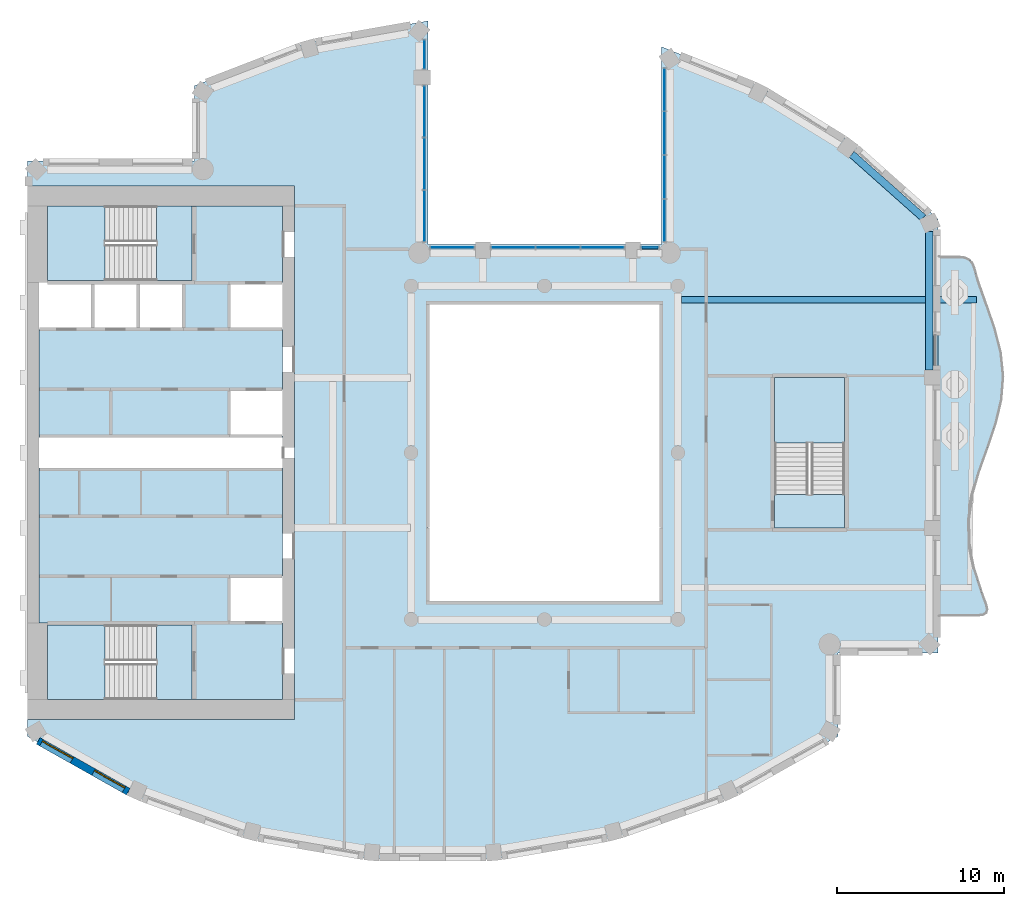
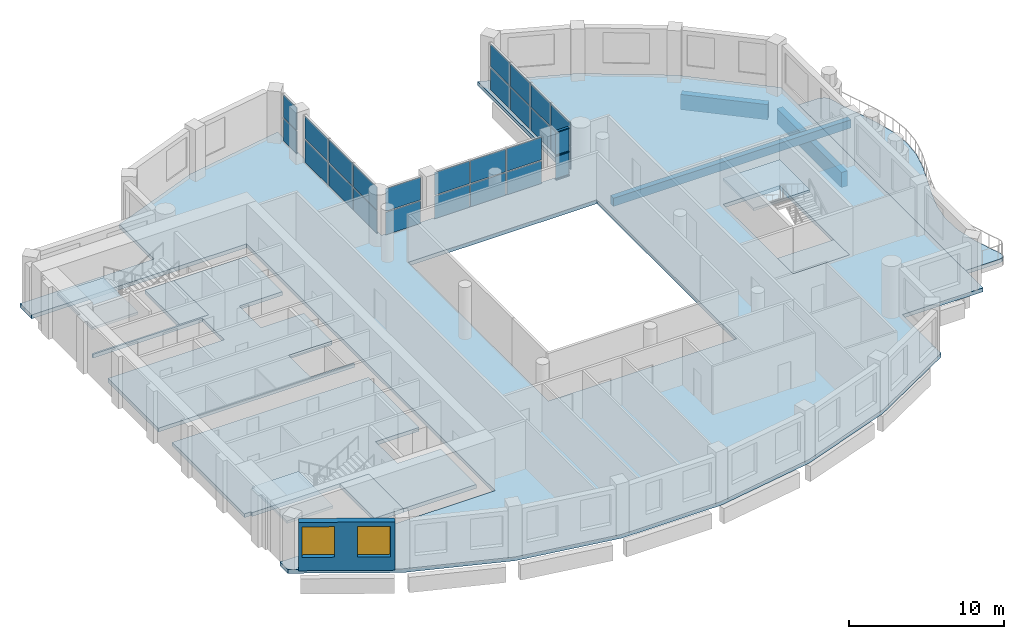
# One storey, part 3 of 14: 26 plates, 10 slabs, 3 beams, 3 members, 2 windows, 1 wall, 2 openings, 9 elements without a shape of their own.
"""IFC4 building model written with IfcOpenShell, lengths in metres."""

import ifcopenshell
import ifcopenshell.guid

model = None  # the IFC model being written
_history = None  # IfcOwnerHistory: only IFC2X3 demands one
_inside = {}  # id of a spatial element -> (the spatial element, [elements in it])
_under = {}  # id of a project, library or spatial element -> (it, [spatial elements below it])
_declared = {}  # id of a project -> (the project, [libraries it declares])
_typed = {}  # id of a type object -> (the type object, [elements of that type])
_made_of = {}  # id of a material, layer set ... -> (it, [elements and type objects made of it])


def new_model(schema):
    """Start an empty IFC model of exactly this schema.

    Asked for "IFC4X3", IfcOpenShell would pick the latest addendum, in which some entities
    have other attributes; the version numbers below select the first issue.
    IFC2X3 requires an IfcOwnerHistory on every rooted entity: one is made here for all.
    """
    global model, _history
    if schema == "IFC4X3":
        model = ifcopenshell.file(schema_version=(4, 3, 0, 0))
    else:
        model = ifcopenshell.file(schema=schema)
    _inside.clear()
    _under.clear()
    _declared.clear()
    _typed.clear()
    _made_of.clear()
    _history = None
    if model.schema == "IFC2X3":
        org = make("IfcOrganization", Name="unknown")
        user = make(
            "IfcPersonAndOrganization",
            ThePerson=make("IfcPerson", FamilyName="unknown"),
            TheOrganization=org,
        )
        app = make(
            "IfcApplication",
            ApplicationDeveloper=org,
            Version="unknown",
            ApplicationFullName="unknown",
            ApplicationIdentifier="unknown",
        )
        _history = make(
            "IfcOwnerHistory",
            OwningUser=user,
            OwningApplication=app,
            ChangeAction="ADDED",
            CreationDate=0,
        )
    return model


def make(cls, **values):
    """One entity of the class cls with the attributes given. An attribute that is None is left unset."""
    return model.create_entity(
        cls, **{name: value for name, value in values.items() if value is not None}
    )


def rooted(cls, **values):
    """An entity with a GlobalId (a new one), such as an element, a storey or a relation."""
    return make(cls, GlobalId=ifcopenshell.guid.new(), OwnerHistory=_history, **values)


def si_unit(unit_type, name, prefix=None):
    """IfcSIUnit, for example si_unit("LENGTHUNIT", "METRE", prefix="MILLI")."""
    return make("IfcSIUnit", UnitType=unit_type, Prefix=prefix, Name=name)


def assignment(units):
    """IfcUnitAssignment: the units of a project."""
    return None if units is None else make("IfcUnitAssignment", Units=units)


def point(xyz):
    """IfcCartesianPoint."""
    return None if xyz is None else make("IfcCartesianPoint", Coordinates=xyz)


def direction(xyz):
    """IfcDirection."""
    return None if xyz is None else make("IfcDirection", DirectionRatios=xyz)


def frame(location, z_axis=None, x_axis=None):
    """IfcAxis2Placement3D, a coordinate frame: its origin and axes. An axis left out is left unset."""
    return make(
        "IfcAxis2Placement3D",
        Location=point(location),
        Axis=direction(z_axis),
        RefDirection=direction(x_axis),
    )


def frame_2d(location, x_axis=None):
    """IfcAxis2Placement2D, a coordinate frame in the plane: its origin and x axis."""
    return make(
        "IfcAxis2Placement2D", Location=point(location), RefDirection=direction(x_axis)
    )


def origin():
    """The frame at (0, 0, 0) with its axes left unset."""
    return frame((0.0, 0.0, 0.0))


def origin_2d():
    """The frame at (0, 0) in the plane with its x axis left unset."""
    return frame_2d((0.0, 0.0))


def place(relative_to, where):
    """IfcLocalPlacement: puts the frame where relative to a parent placement (None: the world)."""
    return make(
        "IfcLocalPlacement", PlacementRelTo=relative_to, RelativePlacement=where
    )


def context(
    kind, dimensions, precision=None, world=None, true_north=None, identifier=None
):
    """IfcGeometricRepresentationContext, for example the 3D "Model" context."""
    return make(
        "IfcGeometricRepresentationContext",
        ContextIdentifier=identifier,
        ContextType=kind,
        CoordinateSpaceDimension=dimensions,
        Precision=precision,
        WorldCoordinateSystem=world,
        TrueNorth=true_north,
    )


def subcontext(parent, identifier, kind, view, scale=None):
    """IfcGeometricRepresentationSubContext, for example "Body" below "Model"."""
    return make(
        "IfcGeometricRepresentationSubContext",
        ContextIdentifier=identifier,
        ContextType=kind,
        ParentContext=parent,
        TargetScale=scale,
        TargetView=view,
    )


def project(units=None, contexts=None):
    """IfcProject with its units and contexts."""
    return rooted(
        "IfcProject",
        Name="project",
        RepresentationContexts=contexts,
        UnitsInContext=assignment(units),
    )


def spatial(cls, under=None, at=None, **own):
    """A site, building, storey or space (cls), placed at a placement, below another one or the project."""
    s = rooted(cls, ObjectPlacement=at, **own)
    if under is not None:
        _under.setdefault(under.id(), (under, []))[1].append(s)
    return s


def polyline(points):
    """IfcPolyline through the points."""
    return make("IfcPolyline", Points=[point(p) for p in points])


def profile(cls, at=None, kind="AREA", **sizes):
    """A parametric profile (cls). Its sizes go by their IFC names, for example OverallWidth=200.0."""
    return make(cls, ProfileType=kind, Position=at, **sizes)


def rectangle(**sizes):
    """IfcRectangleProfileDef."""
    return profile("IfcRectangleProfileDef", **sizes)


def outline(outer, holes=None, kind="AREA"):
    """IfcArbitraryClosedProfileDef: a profile drawn as a closed curve; with holes, ...WithVoids."""
    if holes is None:
        return make("IfcArbitraryClosedProfileDef", ProfileType=kind, OuterCurve=outer)
    return make(
        "IfcArbitraryProfileDefWithVoids",
        ProfileType=kind,
        OuterCurve=outer,
        InnerCurves=holes,
    )


def extrude(swept, where, along, depth):
    """IfcExtrudedAreaSolid: the profile swept, set in the frame where, extruded along a direction by depth."""
    return make(
        "IfcExtrudedAreaSolid",
        SweptArea=swept,
        Position=where,
        ExtrudedDirection=direction(along),
        Depth=depth,
    )


def shape(context_of_items, identifier, shape_type, items):
    """IfcShapeRepresentation: the items that make up one representation, for example the "Body"."""
    return make(
        "IfcShapeRepresentation",
        ContextOfItems=context_of_items,
        RepresentationIdentifier=identifier,
        RepresentationType=shape_type,
        Items=items,
    )


def material(Name=None, Category=None):
    """IfcMaterial."""
    return make("IfcMaterial", Name=Name, Category=Category)


def layer(
    of_material, thickness, ventilated=None, Name=None, Category=None, Priority=None
):
    """IfcMaterialLayer: one layer of a wall or slab, of a material (None: an air gap)."""
    return make(
        "IfcMaterialLayer",
        Material=of_material,
        LayerThickness=thickness,
        IsVentilated=ventilated,
        Name=Name,
        Category=Category,
        Priority=Priority,
    )


def layer_set(layers, Name=None):
    """IfcMaterialLayerSet."""
    return make("IfcMaterialLayerSet", MaterialLayers=layers, LayerSetName=Name)


def material_profile(
    of_material, cross_section, Name=None, Category=None, Priority=None
):
    """IfcMaterialProfile: a cross section and its material."""
    return make(
        "IfcMaterialProfile",
        Name=Name,
        Material=of_material,
        Profile=cross_section,
        Priority=Priority,
        Category=Category,
    )


def profile_set(profiles, Name=None, composite=None):
    """IfcMaterialProfileSet."""
    return make(
        "IfcMaterialProfileSet",
        Name=Name,
        MaterialProfiles=profiles,
        CompositeProfile=composite,
    )


def made_of(thing, what):
    """Note that an element or type object is made of a material, layer set ...; save() writes the relation."""
    if what is not None:
        _made_of.setdefault(what.id(), (what, []))[1].append(thing)
    return thing


def type_object(cls, material=None, **own):
    """A type object (cls), such as IfcWallType, which elements share."""
    return made_of(rooted(cls, **own), material)


def element(
    cls,
    number,
    at=None,
    inside=None,
    cuts=None,
    type_object=None,
    material=None,
    context=None,
    identifier="Body",
    shape_type=None,
    held_by="IfcProductDefinitionShape",
    body=None,
    shapes=None,
    **own,
):
    """One element of the class cls, such as IfcWall. Its Tag is "e" and its number.

    at: its placement. inside: the storey or other place that contains it. cuts: it is an
    opening in that element (IfcRelVoidsElement). A single representation is given by context,
    identifier, shape_type and body (its items); several are given by shapes. held_by: the class
    of the entity that holds the representations. save() writes the other relations.
    """
    e = rooted(cls, Tag="e%d" % number, ObjectPlacement=at, **own)
    if body is not None:
        shapes = [shape(context, identifier, shape_type, body)]
    if shapes is not None:
        e.Representation = make(held_by, Representations=shapes)
    if inside is not None:
        _inside.setdefault(inside.id(), (inside, []))[1].append(e)
    if cuts is not None:
        rooted(
            "IfcRelVoidsElement", RelatingBuildingElement=cuts, RelatedOpeningElement=e
        )
    if type_object is not None:
        _typed.setdefault(type_object.id(), (type_object, []))[1].append(e)
    return made_of(e, material)


def fill(opening, filler):
    """IfcRelFillsElement: the door or window that sits in an opening."""
    return rooted(
        "IfcRelFillsElement",
        RelatingOpeningElement=opening,
        RelatedBuildingElement=filler,
    )


def aggregate(whole, parts):
    """IfcRelAggregates: a whole, such as a stair, and the parts it consists of."""
    return rooted("IfcRelAggregates", RelatingObject=whole, RelatedObjects=parts)


def save(model, path):
    """Write the relations noted so far, then the file.

    IfcRelAggregates (storeys below a building ...), IfcRelContainedInSpatialStructure (elements
    in a storey), IfcRelDefinesByType, IfcRelAssociatesMaterial and IfcRelDeclares: one each for
    every whole, place, type object, material and project.
    """
    for whole, parts in _under.values():
        aggregate(whole, parts)
    for where, things in _inside.values():
        rooted(
            "IfcRelContainedInSpatialStructure",
            RelatedElements=things,
            RelatingStructure=where,
        )
    for kind, things in _typed.values():
        rooted("IfcRelDefinesByType", RelatedObjects=things, RelatingType=kind)
    for what, things in _made_of.values():
        rooted("IfcRelAssociatesMaterial", RelatedObjects=things, RelatingMaterial=what)
    for by, libraries in _declared.values():
        rooted("IfcRelDeclares", RelatingContext=by, RelatedDefinitions=libraries)
    model.write(path)


model = new_model("IFC4")

# Units and contexts
model_context = context("Model", 3, precision=1e-05, world=origin(), true_north=direction((0.0, 1.0)))
body_context = subcontext(model_context, "Body", "Model", "MODEL_VIEW")
ifc_project = project(units=[si_unit("LENGTHUNIT", "METRE"), si_unit("AREAUNIT", "SQUARE_METRE"), si_unit("VOLUMEUNIT", "CUBIC_METRE"), si_unit("PLANEANGLEUNIT", "RADIAN"), si_unit("MASSUNIT", "GRAM", prefix="KILO")], contexts=[model_context])

# Site, building, storey
site_placement = place(None, origin())
site = spatial("IfcSite", under=ifc_project, at=site_placement, CompositionType="ELEMENT")
building_placement = place(site_placement, origin())
building = spatial("IfcBuilding", under=site, at=building_placement, Name="Cypress Arch Tower", CompositionType="ELEMENT")
storey_placement = place(building_placement, frame((0.0, 0.0, 276.199951171875)))
storey = spatial("IfcBuildingStorey", under=building, at=storey_placement, Name="L62", CompositionType="ELEMENT", Elevation=276.199951171875)

# Beams
ifc_material_1 = material(Name="Concrete C50/60", Category="concrete")
ifc_material_profile_1 = material_profile(ifc_material_1, rectangle(XDim=0.39990234375, YDim=0.64990234375, at=origin_2d()), Name="RC 400x650")
ifc_profile_set_1 = profile_set([ifc_material_profile_1], Name="Concrete C50/60")
beam_type_1 = type_object("IfcBeamType", Name="Cantilever beam RC 400x650 Concrete C50/60", PredefinedType="BEAM", material=ifc_profile_set_1)
beam_1_placement = place(storey_placement, frame((9.22509765625, 9.1826171875, -0.625), z_axis=(1.0, 0.0, 0.0), x_axis=(0.0, 1.0, 0.0)))
element("IfcBeam", 1, at=beam_1_placement, inside=storey, type_object=beam_type_1, Name="Cantilever beam L62 C17 2", PredefinedType="BEAM", context=body_context, shape_type="SweptSolid", body=[
    extrude(rectangle(XDim=0.39990234375, YDim=0.64990234375, at=origin_2d()), origin(), (0.0, 0.0, 1.0), 17.661376953125),
])
ifc_material_2 = material(Name="Concrete C50/60", Category="concrete")
ifc_material_profile_2 = material_profile(ifc_material_2, rectangle(XDim=0.449951171875, YDim=1.199951171875, at=origin_2d()), Name="RC 450x1200")
ifc_profile_set_2 = profile_set([ifc_material_profile_2], Name="Concrete C50/60")
beam_type_2 = type_object("IfcBeamType", Name="Spandrel beam RC 450x1200 Concrete C50/60", PredefinedType="SPANDREL", material=ifc_profile_set_2)
beam_2_placement = place(storey_placement, frame((24.074951171875, 4.949951171875, -1.550048828125), z_axis=(0.0, 1.0, 0.0), x_axis=(-1.0, 0.0, 0.0)))
element("IfcBeam", 2, at=beam_2_placement, inside=storey, type_object=beam_type_2, Name="Spandrel beam L62 BC17-2", PredefinedType="SPANDREL", context=body_context, shape_type="SweptSolid", body=[
    extrude(rectangle(XDim=0.449951171875, YDim=1.199951171875, at=origin_2d()), origin(), (0.0, 0.0, 1.0), 8.32080078125),
])
beam_3_placement = place(storey_placement, frame((23.706298828125, 14.091796875, -1.550048828125), z_axis=(-0.747555073917, 0.664199827959, 0.0), x_axis=(-0.664199827959, -0.747555073917, 0.0)))
element("IfcBeam", 3, at=beam_3_placement, inside=storey, type_object=beam_type_2, Name="Spandrel beam L62 BC18-0", PredefinedType="SPANDREL", context=body_context, shape_type="SweptSolid", body=[
    extrude(rectangle(XDim=0.449951171875, YDim=1.199951171875, at=origin_2d()), origin(), (0.0, 0.0, 1.0), 5.72900390625),
])

# Curtain wall, members
ifc_material_3 = material(Name="Anodised aluminium, bronze finish, clear laminated double glazing", Category="aluminium")
curtain_wall_type = type_object("IfcCurtainWallType", Name="Curtain wall CW7 slot glazing", PredefinedType="NOTDEFINED", material=ifc_material_3)
curtain_wall_1_placement = place(storey_placement, origin())
curtain_wall_1 = element("IfcCurtainWall", 4, at=curtain_wall_1_placement, inside=storey, type_object=curtain_wall_type, Name="Curtain wall L62 slot C01.0", PredefinedType="NOTDEFINED")
ifc_material_4 = material(Name="Anodised aluminium, bronze finish", Category="aluminium")
ifc_material_profile_3 = material_profile(ifc_material_4, rectangle(XDim=0.179931640625, YDim=0.0849609375, at=origin_2d()), Name="Transom 85x180")
ifc_profile_set_3 = profile_set([ifc_material_profile_3], Name="Anodised aluminium, bronze finish")
member_type = type_object("IfcMemberType", Name="Transom CW7 85x180", PredefinedType="USERDEFINED", material=ifc_profile_set_3)
member_1_placement = place(storey_placement, frame((7.8134765625, 12.300048828125, 0.04248046875), z_axis=(-1.0, 0.0, 0.0), x_axis=(0.0, -1.0, 0.0)))
member_1 = element("IfcMember", 5, at=member_1_placement, type_object=member_type, Name="CW7 transom 1.1", ObjectType="TRANSOM", PredefinedType="USERDEFINED", context=body_context, shape_type="SweptSolid", body=[
    extrude(rectangle(XDim=0.179931640625, YDim=0.0849609375, at=origin_2d()), origin(), (0.0, 0.0, 1.0), 0.978515625),
])
member_2_placement = place(storey_placement, frame((7.8134765625, 12.300048828125, 1.900146484375), z_axis=(-1.0, 0.0, 0.0), x_axis=(0.0, -1.0, 0.0)))
member_2 = element("IfcMember", 6, at=member_2_placement, type_object=member_type, Name="CW7 transom 1.2", ObjectType="TRANSOM", PredefinedType="USERDEFINED", context=body_context, shape_type="SweptSolid", body=[
    extrude(rectangle(XDim=0.179931640625, YDim=0.0849609375, at=origin_2d()), origin(), (0.0, 0.0, 1.0), 0.978515625),
])
member_3_placement = place(storey_placement, frame((7.8134765625, 12.300048828125, 3.757568359375), z_axis=(-1.0, 0.0, 0.0), x_axis=(0.0, -1.0, 0.0)))
member_3 = element("IfcMember", 7, at=member_3_placement, type_object=member_type, Name="CW7 transom 1.3", ObjectType="TRANSOM", PredefinedType="USERDEFINED", context=body_context, shape_type="SweptSolid", body=[
    extrude(rectangle(XDim=0.179931640625, YDim=0.0849609375, at=origin_2d()), origin(), (0.0, 0.0, 1.0), 0.978515625),
])

# Slabs
ifc_material_5 = material(Name="Concrete C40/50", Category="concrete")
ifc_layer_1 = layer(ifc_material_5, 0.300048828125)
ifc_layer_set_1 = layer_set([ifc_layer_1], Name="Balcony slab BS300")
slab_type_1 = type_object("IfcSlabType", Name="Balcony slab BS300", PredefinedType="USERDEFINED", material=ifc_layer_set_1)
slab_1_placement = place(storey_placement, frame((0.0, 0.0, -0.300048828125)))
element("IfcSlab", 8, at=slab_1_placement, inside=storey, type_object=slab_type_1, Name="Balcony slab L62-C17", ObjectType="BALCONY SLAB", PredefinedType="USERDEFINED", context=body_context, shape_type="SweptSolid", body=[
    extrude(outline(polyline([(24.60009765625, -9.75), (27.03564453125, -9.75), (27.3212890625, -9.709716796875), (27.49169921875, -9.5888671875), (27.54736328125, -9.38720703125), (27.48779296875, -9.10498046875), (27.201904296875, -8.316650390625), (26.742919921875, -6.88330078125), (26.457275390625, -5.449951171875), (26.414794921875, -4.0166015625), (26.62646484375, -2.583251953125), (27.039794921875, -1.14990234375), (27.5537109375, 0.283447265625), (28.042236328125, 1.716552734375), (28.385498046875, 3.14990234375), (28.49951171875, 4.583251953125), (28.356201171875, 6.0166015625), (27.99072265625, 7.449951171875), (27.49267578125, 8.88330078125), (26.984130859375, 10.316650390625), (26.767333984375, 11.10498046875), (26.64794921875, 11.38720703125), (26.467041015625, 11.5888671875), (26.224609375, 11.709716796875), (25.9208984375, 11.75), (24.60009765625, 11.75), (24.60009765625, -9.75)])), origin(), (0.0, 0.0, 1.0), 0.300048828125),
])
ifc_material_6 = material(Name="Concrete C40/50", Category="concrete")
ifc_layer_2 = layer(ifc_material_6, 0.300048828125)
ifc_layer_set_2 = layer_set([ifc_layer_2], Name="Core floor CF300")
slab_type_2 = type_object("IfcSlabType", Name="Core floor CF300", PredefinedType="FLOOR", material=ifc_layer_set_2)
slab_2_placement = place(storey_placement, frame((0.0, 0.0, -0.300048828125)))
element("IfcSlab", 9, at=slab_2_placement, inside=storey, type_object=slab_type_2, Name="Core floor", PredefinedType="FLOOR", context=body_context, shape_type="SweptSolid", body=[
    extrude(outline(polyline([(-28.89990234375, -10.199951171875), (-29.300048828125, -10.199951171875), (-29.300048828125, -0.89990234375), (-28.89990234375, -0.89990234375), (-15.10009765625, -0.89990234375), (-14.699951171875, -0.89990234375), (-14.699951171875, -7.39990234375), (-15.10009765625, -7.39990234375), (-17.919921875, -7.39990234375), (-17.919921875, -10.199951171875), (-15.10009765625, -10.199951171875), (-14.699951171875, -10.199951171875), (-14.699951171875, -14.800048828125), (-15.10009765625, -14.800048828125), (-20.125, -14.800048828125), (-20.125, -10.324951171875), (-22.27490234375, -10.324951171875), (-28.800048828125, -10.324951171875), (-28.800048828125, -10.199951171875), (-28.89990234375, -10.199951171875)])), origin(), (0.0, 0.0, 1.0), 0.300048828125),
])
slab_3_placement = place(storey_placement, frame((0.0, 0.0, -0.300048828125)))
element("IfcSlab", 10, at=slab_3_placement, inside=storey, type_object=slab_type_2, Name="Core floor", PredefinedType="FLOOR", context=body_context, shape_type="SweptSolid", body=[
    extrude(outline(polyline([(-22.27490234375, -10.324951171875), (-22.27490234375, -14.800048828125), (-20.125, -14.800048828125), (-20.125, -10.324951171875), (-22.27490234375, -10.324951171875)])), origin(), (0.0, 0.0, 1.0), 0.300048828125),
])
slab_4_placement = place(storey_placement, frame((0.0, 0.0, -0.300048828125)))
element("IfcSlab", 11, at=slab_4_placement, inside=storey, type_object=slab_type_2, Name="Core floor", PredefinedType="FLOOR", context=body_context, shape_type="SweptSolid", body=[
    extrude(outline(polyline([(-20.125, 14.800048828125), (-22.27490234375, 14.800048828125), (-22.27490234375, 10.324951171875), (-20.125, 10.324951171875), (-20.125, 14.800048828125)])), origin(), (0.0, 0.0, 1.0), 0.300048828125),
])
slab_5_placement = place(storey_placement, frame((0.0, 0.0, -0.300048828125)))
element("IfcSlab", 12, at=slab_5_placement, inside=storey, type_object=slab_type_2, Name="Stair floor landing", PredefinedType="FLOOR", context=body_context, shape_type="SweptSolid", body=[
    extrude(outline(polyline([(19.0, -4.5), (19.0, -2.5), (14.800048828125, -2.5), (14.800048828125, -4.5), (19.0, -4.5)])), origin(), (0.0, 0.0, 1.0), 0.300048828125),
])
slab_6_placement = place(storey_placement, frame((0.0, 0.0, -0.300048828125)))
element("IfcSlab", 13, at=slab_6_placement, inside=storey, type_object=slab_type_2, Name="Core floor", PredefinedType="FLOOR", context=body_context, shape_type="SweptSolid", body=[
    extrude(outline(polyline([(-20.639892578125, 10.199951171875), (-23.360107421875, 10.199951171875), (-26.080078125, 10.199951171875), (-28.800048828125, 10.199951171875), (-28.800048828125, 10.324951171875), (-22.27490234375, 10.324951171875), (-20.125, 10.324951171875), (-20.125, 14.800048828125), (-15.10009765625, 14.800048828125), (-14.699951171875, 14.800048828125), (-14.699951171875, 10.199951171875), (-15.10009765625, 10.199951171875), (-17.919921875, 10.199951171875), (-17.919921875, 7.39990234375), (-15.10009765625, 7.39990234375), (-14.699951171875, 7.39990234375), (-14.699951171875, 3.800048828125), (-15.10009765625, 3.800048828125), (-17.919921875, 3.800048828125), (-17.919921875, 1.5), (-17.919921875, 1.0), (-17.5, 1.0), (-15.10009765625, 1.0), (-14.699951171875, 1.0), (-14.699951171875, 0.89990234375), (-15.10009765625, 0.89990234375), (-17.5, 0.89990234375), (-18.300048828125, 0.89990234375), (-28.89990234375, 0.89990234375), (-29.300048828125, 0.89990234375), (-29.300048828125, 1.5), (-29.300048828125, 7.39990234375), (-28.89990234375, 7.39990234375), (-26.080078125, 7.39990234375), (-23.360107421875, 7.39990234375), (-20.639892578125, 7.39990234375), (-20.639892578125, 10.199951171875)])), origin(), (0.0, 0.0, 1.0), 0.300048828125),
])

# Curtain wall, plates
curtain_wall_2_placement = place(storey_placement, origin())
curtain_wall_2 = element("IfcCurtainWall", 14, at=curtain_wall_2_placement, inside=storey, type_object=curtain_wall_type, Name="Curtain wall L62 slot C00.0", PredefinedType="NOTDEFINED")
ifc_material_7 = material(Name="Clear laminated double glazing", Category="glass")
ifc_layer_3 = layer(ifc_material_7, 0.0439453125)
ifc_layer_set_3 = layer_set([ifc_layer_3], Name="Glass panel CW7 44")
plate_type = type_object("IfcPlateType", Name="Glass panel CW7 44", PredefinedType="CURTAIN_PANEL", material=ifc_layer_set_3)
plate_1_placement = place(storey_placement, frame((8.199951171875, 21.768798828125, 0.0849609375), z_axis=(0.0, 0.0, 1.0), x_axis=(0.0, -1.0, 0.0)))
plate_1 = element("IfcPlate", 15, at=plate_1_placement, type_object=plate_type, Name="CW7 panel 1.1", PredefinedType="CURTAIN_PANEL", context=body_context, shape_type="SweptSolid", body=[
    extrude(rectangle(XDim=2.497802734375, YDim=0.0439453125, at=origin_2d()), origin(), (0.0, 0.0, 1.0), 1.7724609375),
])
plate_2_placement = place(storey_placement, frame((8.199951171875, 21.768798828125, 1.942626953125), z_axis=(0.0, 0.0, 1.0), x_axis=(0.0, -1.0, 0.0)))
plate_2 = element("IfcPlate", 16, at=plate_2_placement, type_object=plate_type, Name="CW7 panel 1.2", PredefinedType="CURTAIN_PANEL", context=body_context, shape_type="SweptSolid", body=[
    extrude(rectangle(XDim=2.497802734375, YDim=0.0439453125, at=origin_2d()), origin(), (0.0, 0.0, 1.0), 1.7724609375),
])
plate_3_placement = place(storey_placement, frame((8.199951171875, 19.164794921875, 0.0849609375), z_axis=(0.0, 0.0, 1.0), x_axis=(0.0, -1.0, 0.0)))
plate_3 = element("IfcPlate", 17, at=plate_3_placement, type_object=plate_type, Name="CW7 panel 2.1", PredefinedType="CURTAIN_PANEL", context=body_context, shape_type="SweptSolid", body=[
    extrude(rectangle(XDim=2.540283203125, YDim=0.0439453125, at=origin_2d()), origin(), (0.0, 0.0, 1.0), 1.7724609375),
])
plate_4_placement = place(storey_placement, frame((8.199951171875, 19.164794921875, 1.942626953125), z_axis=(0.0, 0.0, 1.0), x_axis=(0.0, -1.0, 0.0)))
plate_4 = element("IfcPlate", 18, at=plate_4_placement, type_object=plate_type, Name="CW7 panel 2.2", PredefinedType="CURTAIN_PANEL", context=body_context, shape_type="SweptSolid", body=[
    extrude(rectangle(XDim=2.540283203125, YDim=0.0439453125, at=origin_2d()), origin(), (0.0, 0.0, 1.0), 1.7724609375),
])
plate_5_placement = place(storey_placement, frame((8.199951171875, 16.53955078125, 0.0849609375), z_axis=(0.0, 0.0, 1.0), x_axis=(0.0, -1.0, 0.0)))
plate_5 = element("IfcPlate", 19, at=plate_5_placement, type_object=plate_type, Name="CW7 panel 3.1", PredefinedType="CURTAIN_PANEL", context=body_context, shape_type="SweptSolid", body=[
    extrude(rectangle(XDim=2.540283203125, YDim=0.0439453125, at=origin_2d()), origin(), (0.0, 0.0, 1.0), 1.7724609375),
])
plate_6_placement = place(storey_placement, frame((8.199951171875, 16.53955078125, 1.942626953125), z_axis=(0.0, 0.0, 1.0), x_axis=(0.0, -1.0, 0.0)))
plate_6 = element("IfcPlate", 20, at=plate_6_placement, type_object=plate_type, Name="CW7 panel 3.2", PredefinedType="CURTAIN_PANEL", context=body_context, shape_type="SweptSolid", body=[
    extrude(rectangle(XDim=2.540283203125, YDim=0.0439453125, at=origin_2d()), origin(), (0.0, 0.0, 1.0), 1.7724609375),
])
plate_7_placement = place(storey_placement, frame((8.199951171875, 13.935302734375, 0.0849609375), z_axis=(0.0, 0.0, 1.0), x_axis=(0.0, -1.0, 0.0)))
plate_7 = element("IfcPlate", 21, at=plate_7_placement, type_object=plate_type, Name="CW7 panel 4.1", PredefinedType="CURTAIN_PANEL", context=body_context, shape_type="SweptSolid", body=[
    extrude(rectangle(XDim=2.497802734375, YDim=0.0439453125, at=origin_2d()), origin(), (0.0, 0.0, 1.0), 1.7724609375),
])
plate_8_placement = place(storey_placement, frame((8.199951171875, 13.935302734375, 1.942626953125), z_axis=(0.0, 0.0, 1.0), x_axis=(0.0, -1.0, 0.0)))
plate_8 = element("IfcPlate", 22, at=plate_8_placement, type_object=plate_type, Name="CW7 panel 4.2", PredefinedType="CURTAIN_PANEL", context=body_context, shape_type="SweptSolid", body=[
    extrude(rectangle(XDim=2.497802734375, YDim=0.0439453125, at=origin_2d()), origin(), (0.0, 0.0, 1.0), 1.7724609375),
])
aggregate(curtain_wall_2, [plate_1, plate_2, plate_3, plate_4, plate_5, plate_6, plate_7, plate_8])

# Plate
plate_9_placement = place(storey_placement, frame((7.32421875, 12.300048828125, 0.0849609375), z_axis=(0.0, 0.0, 1.0), x_axis=(-1.0, 0.0, 0.0)))
plate_9 = element("IfcPlate", 23, at=plate_9_placement, type_object=plate_type, Name="CW7 panel 1.1", PredefinedType="CURTAIN_PANEL", context=body_context, shape_type="SweptSolid", body=[
    extrude(rectangle(XDim=0.978515625, YDim=0.0439453125, at=origin_2d()), origin(), (0.0, 0.0, 1.0), 1.7724609375),
])

plate_10_placement = place(storey_placement, frame((7.32421875, 12.300048828125, 1.942626953125), z_axis=(0.0, 0.0, 1.0), x_axis=(-1.0, 0.0, 0.0)))
plate_10 = element("IfcPlate", 24, at=plate_10_placement, type_object=plate_type, Name="CW7 panel 1.2", PredefinedType="CURTAIN_PANEL", context=body_context, shape_type="SweptSolid", body=[
    extrude(rectangle(XDim=0.978515625, YDim=0.0439453125, at=origin_2d()), origin(), (0.0, 0.0, 1.0), 1.7724609375),
])

aggregate(curtain_wall_1, [member_1, member_2, member_3, plate_9, plate_10])

# Curtain wall, plates
curtain_wall_3_placement = place(storey_placement, origin())
curtain_wall_3 = element("IfcCurtainWall", 25, at=curtain_wall_3_placement, inside=storey, type_object=curtain_wall_type, Name="Curtain wall L62 slot C01.1", PredefinedType="NOTDEFINED")
plate_11_placement = place(storey_placement, frame((4.478759765625, 12.300048828125, 0.0849609375), z_axis=(0.0, 0.0, 1.0), x_axis=(-1.0, 0.0, 0.0)))
plate_11 = element("IfcPlate", 26, at=plate_11_placement, type_object=plate_type, Name="CW7 panel 1.1", PredefinedType="CURTAIN_PANEL", context=body_context, shape_type="SweptSolid", body=[
    extrude(rectangle(XDim=2.572509765625, YDim=0.0439453125, at=origin_2d()), origin(), (0.0, 0.0, 1.0), 1.7724609375),
])
plate_12_placement = place(storey_placement, frame((4.478759765625, 12.300048828125, 1.942626953125), z_axis=(0.0, 0.0, 1.0), x_axis=(-1.0, 0.0, 0.0)))
plate_12 = element("IfcPlate", 27, at=plate_12_placement, type_object=plate_type, Name="CW7 panel 1.2", PredefinedType="CURTAIN_PANEL", context=body_context, shape_type="SweptSolid", body=[
    extrude(rectangle(XDim=2.572509765625, YDim=0.0439453125, at=origin_2d()), origin(), (0.0, 0.0, 1.0), 1.7724609375),
])
plate_13_placement = place(storey_placement, frame((1.800048828125, 12.300048828125, 0.0849609375), z_axis=(0.0, 0.0, 1.0), x_axis=(-1.0, 0.0, 0.0)))
plate_13 = element("IfcPlate", 28, at=plate_13_placement, type_object=plate_type, Name="CW7 panel 2.1", PredefinedType="CURTAIN_PANEL", context=body_context, shape_type="SweptSolid", body=[
    extrude(rectangle(XDim=2.614990234375, YDim=0.0439453125, at=origin_2d()), origin(), (0.0, 0.0, 1.0), 1.7724609375),
])
plate_14_placement = place(storey_placement, frame((1.800048828125, 12.300048828125, 1.942626953125), z_axis=(0.0, 0.0, 1.0), x_axis=(-1.0, 0.0, 0.0)))
plate_14 = element("IfcPlate", 29, at=plate_14_placement, type_object=plate_type, Name="CW7 panel 2.2", PredefinedType="CURTAIN_PANEL", context=body_context, shape_type="SweptSolid", body=[
    extrude(rectangle(XDim=2.614990234375, YDim=0.0439453125, at=origin_2d()), origin(), (0.0, 0.0, 1.0), 1.7724609375),
])
plate_15_placement = place(storey_placement, frame((-0.878662109375, 12.300048828125, 0.0849609375), z_axis=(0.0, 0.0, 1.0), x_axis=(-1.0, 0.0, 0.0)))
plate_15 = element("IfcPlate", 30, at=plate_15_placement, type_object=plate_type, Name="CW7 panel 3.1", PredefinedType="CURTAIN_PANEL", context=body_context, shape_type="SweptSolid", body=[
    extrude(rectangle(XDim=2.572509765625, YDim=0.0439453125, at=origin_2d()), origin(), (0.0, 0.0, 1.0), 1.7724609375),
])
plate_16_placement = place(storey_placement, frame((-0.878662109375, 12.300048828125, 1.942626953125), z_axis=(0.0, 0.0, 1.0), x_axis=(-1.0, 0.0, 0.0)))
plate_16 = element("IfcPlate", 31, at=plate_16_placement, type_object=plate_type, Name="CW7 panel 3.2", PredefinedType="CURTAIN_PANEL", context=body_context, shape_type="SweptSolid", body=[
    extrude(rectangle(XDim=2.572509765625, YDim=0.0439453125, at=origin_2d()), origin(), (0.0, 0.0, 1.0), 1.7724609375),
])
aggregate(curtain_wall_3, [plate_11, plate_12, plate_13, plate_14, plate_15, plate_16])

curtain_wall_4_placement = place(storey_placement, origin())
curtain_wall_4 = element("IfcCurtainWall", 32, at=curtain_wall_4_placement, inside=storey, type_object=curtain_wall_type, Name="Curtain wall L62 slot C01.2", PredefinedType="NOTDEFINED")
plate_17_placement = place(storey_placement, frame((-4.524169921875, 12.300048828125, 0.0849609375), z_axis=(0.0, 0.0, 1.0), x_axis=(-1.0, 0.0, 0.0)))
plate_17 = element("IfcPlate", 33, at=plate_17_placement, type_object=plate_type, Name="CW7 panel 1.1", PredefinedType="CURTAIN_PANEL", context=body_context, shape_type="SweptSolid", body=[
    extrude(rectangle(XDim=2.57861328125, YDim=0.0439453125, at=origin_2d()), origin(), (0.0, 0.0, 1.0), 1.7724609375),
])
plate_18_placement = place(storey_placement, frame((-4.524169921875, 12.300048828125, 1.942626953125), z_axis=(0.0, 0.0, 1.0), x_axis=(-1.0, 0.0, 0.0)))
plate_18 = element("IfcPlate", 34, at=plate_18_placement, type_object=plate_type, Name="CW7 panel 1.2", PredefinedType="CURTAIN_PANEL", context=body_context, shape_type="SweptSolid", body=[
    extrude(rectangle(XDim=2.57861328125, YDim=0.0439453125, at=origin_2d()), origin(), (0.0, 0.0, 1.0), 1.7724609375),
])
aggregate(curtain_wall_4, [plate_17, plate_18])

curtain_wall_5_placement = place(storey_placement, origin())
curtain_wall_5 = element("IfcCurtainWall", 35, at=curtain_wall_5_placement, inside=storey, type_object=curtain_wall_type, Name="Curtain wall L62 slot C02.0", PredefinedType="NOTDEFINED")
plate_19_placement = place(storey_placement, frame((-6.199951171875, 14.197509765625, 0.0849609375), z_axis=(0.0, 0.0, 1.0), x_axis=(0.0, 1.0, 0.0)))
plate_19 = element("IfcPlate", 36, at=plate_19_placement, type_object=plate_type, Name="CW7 panel 1.1", PredefinedType="CURTAIN_PANEL", context=body_context, shape_type="SweptSolid", body=[
    extrude(rectangle(XDim=3.02197265625, YDim=0.0439453125, at=origin_2d()), origin(), (0.0, 0.0, 1.0), 1.7724609375),
])
plate_20_placement = place(storey_placement, frame((-6.199951171875, 14.197509765625, 1.942626953125), z_axis=(0.0, 0.0, 1.0), x_axis=(0.0, 1.0, 0.0)))
plate_20 = element("IfcPlate", 37, at=plate_20_placement, type_object=plate_type, Name="CW7 panel 1.2", PredefinedType="CURTAIN_PANEL", context=body_context, shape_type="SweptSolid", body=[
    extrude(rectangle(XDim=3.02197265625, YDim=0.0439453125, at=origin_2d()), origin(), (0.0, 0.0, 1.0), 1.7724609375),
])
plate_21_placement = place(storey_placement, frame((-6.199951171875, 17.32568359375, 0.0849609375), z_axis=(0.0, 0.0, 1.0), x_axis=(0.0, 1.0, 0.0)))
plate_21 = element("IfcPlate", 38, at=plate_21_placement, type_object=plate_type, Name="CW7 panel 2.1", PredefinedType="CURTAIN_PANEL", context=body_context, shape_type="SweptSolid", body=[
    extrude(rectangle(XDim=3.064453125, YDim=0.0439453125, at=origin_2d()), origin(), (0.0, 0.0, 1.0), 1.7724609375),
])
plate_22_placement = place(storey_placement, frame((-6.199951171875, 17.32568359375, 1.942626953125), z_axis=(0.0, 0.0, 1.0), x_axis=(0.0, 1.0, 0.0)))
plate_22 = element("IfcPlate", 39, at=plate_22_placement, type_object=plate_type, Name="CW7 panel 2.2", PredefinedType="CURTAIN_PANEL", context=body_context, shape_type="SweptSolid", body=[
    extrude(rectangle(XDim=3.064453125, YDim=0.0439453125, at=origin_2d()), origin(), (0.0, 0.0, 1.0), 1.7724609375),
])
plate_23_placement = place(storey_placement, frame((-6.199951171875, 20.4541015625, 0.0849609375), z_axis=(0.0, 0.0, 1.0), x_axis=(0.0, 1.0, 0.0)))
plate_23 = element("IfcPlate", 40, at=plate_23_placement, type_object=plate_type, Name="CW7 panel 3.1", PredefinedType="CURTAIN_PANEL", context=body_context, shape_type="SweptSolid", body=[
    extrude(rectangle(XDim=3.02197265625, YDim=0.0439453125, at=origin_2d()), origin(), (0.0, 0.0, 1.0), 1.7724609375),
])
plate_24_placement = place(storey_placement, frame((-6.199951171875, 20.4541015625, 1.942626953125), z_axis=(0.0, 0.0, 1.0), x_axis=(0.0, 1.0, 0.0)))
plate_24 = element("IfcPlate", 41, at=plate_24_placement, type_object=plate_type, Name="CW7 panel 3.2", PredefinedType="CURTAIN_PANEL", context=body_context, shape_type="SweptSolid", body=[
    extrude(rectangle(XDim=3.02197265625, YDim=0.0439453125, at=origin_2d()), origin(), (0.0, 0.0, 1.0), 1.7724609375),
])
aggregate(curtain_wall_5, [plate_19, plate_20, plate_21, plate_22, plate_23, plate_24])

curtain_wall_6_placement = place(storey_placement, origin())
curtain_wall_6 = element("IfcCurtainWall", 42, at=curtain_wall_6_placement, inside=storey, type_object=curtain_wall_type, Name="Curtain wall L62 slot C02.1", PredefinedType="NOTDEFINED")
plate_25_placement = place(storey_placement, frame((-6.199951171875, 23.89111328125, 0.0849609375), z_axis=(0.0, 0.0, 1.0), x_axis=(0.0, 1.0, 0.0)))
plate_25 = element("IfcPlate", 43, at=plate_25_placement, type_object=plate_type, Name="CW7 panel 1.1", PredefinedType="CURTAIN_PANEL", context=body_context, shape_type="SweptSolid", body=[
    extrude(rectangle(XDim=1.71240234375, YDim=0.0439453125, at=origin_2d()), origin(), (0.0, 0.0, 1.0), 1.7724609375),
])
plate_26_placement = place(storey_placement, frame((-6.199951171875, 23.89111328125, 1.942626953125), z_axis=(0.0, 0.0, 1.0), x_axis=(0.0, 1.0, 0.0)))
plate_26 = element("IfcPlate", 44, at=plate_26_placement, type_object=plate_type, Name="CW7 panel 1.2", PredefinedType="CURTAIN_PANEL", context=body_context, shape_type="SweptSolid", body=[
    extrude(rectangle(XDim=1.71240234375, YDim=0.0439453125, at=origin_2d()), origin(), (0.0, 0.0, 1.0), 1.7724609375),
])
aggregate(curtain_wall_6, [plate_25, plate_26])

# Slab
ifc_material_8 = material(Name="Concrete C40/50", Category="concrete")
ifc_layer_4 = layer(ifc_material_8, 0.300048828125)
ifc_layer_set_4 = layer_set([ifc_layer_4], Name="PT flat slab 300 Concrete C40/50")
slab_type_3 = type_object("IfcSlabType", Name="PT flat slab 300 Concrete C40/50", PredefinedType="FLOOR", material=ifc_layer_set_4)
slab_7_placement = place(storey_placement, frame((0.0, 0.0, -0.300048828125)))
element("IfcSlab", 45, at=slab_7_placement, inside=storey, type_object=slab_type_3, Name="Floor slab L62", PredefinedType="FLOOR", context=body_context, shape_type="SweptSolid", body=[
    extrude(outline(polyline([(-30.0, 17.5), (-20.0, 17.5), (-20.0, 22.0), (-13.199951171875, 24.6201171875), (-6.0, 25.889892578125), (-6.0, 12.5), (8.0, 12.5), (8.0, 24.35009765625), (14.0, 21.93994140625), (19.39990234375, 18.6201171875), (24.60009765625, 14.0), (24.60009765625, -12.0), (18.60009765625, -12.0), (18.60009765625, -17.0), (12.179931640625, -20.6201171875), (5.239990234375, -23.090087890625), (-2.02001953125, -24.340087890625), (-9.3798828125, -24.340087890625), (-16.639892578125, -23.090087890625), (-23.580078125, -20.6201171875), (-30.0, -17.0), (-30.0, -16.0), (-14.0, -16.0), (-14.0, 16.0), (-30.0, 16.0), (-30.0, 17.5)]), holes=[polyline([(-6.0, -9.0), (8.0, -9.0), (8.0, 9.0), (-6.0, 9.0), (-6.0, -9.0)]), polyline([(14.800048828125, -4.5), (19.0, -4.5), (19.0, 4.5), (14.800048828125, 4.5), (14.800048828125, -4.5)])]), origin(), (0.0, 0.0, 1.0), 0.300048828125),
])

# Stair, slab
ifc_material_9 = material(Name="Concrete C40/50", Category="concrete")
stair_type_1 = type_object("IfcStairType", Name="Exit stair ES1708-215", PredefinedType="HALF_TURN_STAIR", material=ifc_material_9)
stair_1_placement = place(storey_placement, origin())
stair_1 = element("IfcStair", 46, at=stair_1_placement, inside=storey, type_object=stair_type_1, Name="L62 Exit stair A", PredefinedType="HALF_TURN_STAIR")
ifc_material_10 = material(Name="Concrete C40/50", Category="concrete")
ifc_layer_5 = layer(ifc_material_10, 0.199951171875)
ifc_layer_set_5 = layer_set([ifc_layer_5], Name="Stair landing SL200")
slab_type_4 = type_object("IfcSlabType", Name="Stair landing SL200", PredefinedType="LANDING", material=ifc_layer_set_5)
slab_8_placement = place(storey_placement, frame((0.0, 0.0, 1.85009765625)))
slab_8 = element("IfcSlab", 47, at=slab_8_placement, type_object=slab_type_4, Name="A landing 1", PredefinedType="LANDING", context=body_context, shape_type="SweptSolid", body=[
    extrude(outline(polyline([(-25.35498046875, -10.324951171875), (-28.800048828125, -10.324951171875), (-28.800048828125, -14.800048828125), (-25.35498046875, -14.800048828125), (-25.35498046875, -10.324951171875)])), origin(), (0.0, 0.0, 1.0), 0.199951171875),
])
aggregate(stair_1, [slab_8])

stair_2_placement = place(storey_placement, origin())
stair_2 = element("IfcStair", 48, at=stair_2_placement, inside=storey, type_object=stair_type_1, Name="L62 Exit stair B", PredefinedType="HALF_TURN_STAIR")
slab_9_placement = place(storey_placement, frame((0.0, 0.0, 1.85009765625)))
slab_9 = element("IfcSlab", 49, at=slab_9_placement, type_object=slab_type_4, Name="B landing 1", PredefinedType="LANDING", context=body_context, shape_type="SweptSolid", body=[
    extrude(outline(polyline([(-25.35498046875, 14.800048828125), (-28.800048828125, 14.800048828125), (-28.800048828125, 10.324951171875), (-25.35498046875, 10.324951171875), (-25.35498046875, 14.800048828125)])), origin(), (0.0, 0.0, 1.0), 0.199951171875),
])
aggregate(stair_2, [slab_9])

ifc_material_11 = material(Name="Concrete C40/50", Category="concrete")
stair_type_2 = type_object("IfcStairType", Name="Exit stair ES1708-200", PredefinedType="HALF_TURN_STAIR", material=ifc_material_11)
stair_3_placement = place(storey_placement, origin())
stair_3 = element("IfcStair", 50, at=stair_3_placement, inside=storey, type_object=stair_type_2, Name="L62 Exit stair C", PredefinedType="HALF_TURN_STAIR")
slab_10_placement = place(storey_placement, frame((0.0, 0.0, 1.85009765625)))
slab_10 = element("IfcSlab", 51, at=slab_10_placement, type_object=slab_type_4, Name="C landing 1", PredefinedType="LANDING", context=body_context, shape_type="SweptSolid", body=[
    extrude(outline(polyline([(19.0, 0.580078125), (19.0, 4.5), (14.800048828125, 4.5), (14.800048828125, 0.580078125), (19.0, 0.580078125)])), origin(), (0.0, 0.0, 1.0), 0.199951171875),
])
aggregate(stair_3, [slab_10])

# Wall, openings, windows
ifc_material_12 = material(Name="Brick (red buff blend)", Category="masonry")
ifc_layer_6 = layer(ifc_material_12, 0.449951171875)
ifc_layer_set_6 = layer_set([ifc_layer_6], Name="Brick pier and spandrel wall BW450")
wall_type = type_object("IfcWallType", Name="Brick pier and spandrel wall BW450", PredefinedType="SOLIDWALL", material=ifc_layer_set_6)
wall_placement = place(storey_placement, frame((-29.3564453125, -17.276611328125, 0.0), z_axis=(0.0, 0.0, 1.0), x_axis=(0.871065783524, -0.491166367714, 0.0)))
wall = element("IfcWall", 52, at=wall_placement, inside=storey, type_object=wall_type, Name="Brick wall L62 C08.0", PredefinedType="SOLIDWALL", context=body_context, shape_type="SweptSolid", body=[
    extrude(rectangle(XDim=6.1962890625, YDim=0.449951171875, at=frame_2d((3.09814453125, 0.0))), origin(), (0.0, 0.0, 1.0), 3.800048828125),
])
opening_1_placement = place(wall_placement, frame((0.22119140625, 0.0, 1.050048828125)))
opening_1 = element("IfcOpeningElement", 53, at=opening_1_placement, cuts=wall, Name="Opening W210O", PredefinedType="OPENING", context=body_context, shape_type="SweptSolid", body=[
    extrude(rectangle(XDim=2.10009765625, YDim=2.39990234375, at=frame_2d((1.050048828125, 1.199951171875))), frame((0.0, 0.23486328125, 0.0), z_axis=(0.0, -1.0, 0.0), x_axis=(1.0, 0.0, 0.0)), (0.0, 0.0, 1.0), 0.469970703125),
])
opening_2_placement = place(wall_placement, frame((3.8056640625, 0.0, 1.050048828125)))
opening_2 = element("IfcOpeningElement", 54, at=opening_2_placement, cuts=wall, Name="Opening W210O", PredefinedType="OPENING", context=body_context, shape_type="SweptSolid", body=[
    extrude(rectangle(XDim=2.10009765625, YDim=2.39990234375, at=frame_2d((1.050048828125, 1.199951171875))), frame((0.0, 0.23486328125, 0.0), z_axis=(0.0, -1.0, 0.0), x_axis=(1.0, 0.0, 0.0)), (0.0, 0.0, 1.0), 0.469970703125),
])
ifc_material_13 = material(Name="Anodised aluminium, bronze finish, clear low-emissivity double glazing", Category="aluminium")
window_type = type_object("IfcWindowType", Name="Window Office 2100x2400", PartitioningType="SINGLE_PANEL", PredefinedType="WINDOW", material=ifc_material_13)
window_1_placement = place(opening_1_placement, origin())
window_1 = element("IfcWindow", 55, at=window_1_placement, inside=storey, type_object=window_type, Name="Window L62 C08.0.1", OverallHeight=2.39990234375, OverallWidth=2.10009765625, PartitioningType="SINGLE_PANEL", PredefinedType="WINDOW", context=body_context, shape_type="SweptSolid", body=[
    extrude(rectangle(XDim=2.10009765625, YDim=2.39990234375, at=frame_2d((1.050048828125, 1.199951171875))), frame((0.0, 0.135009765625, 0.0), z_axis=(0.0, -1.0, 0.0), x_axis=(1.0, 0.0, 0.0)), (0.0, 0.0, 1.0), 0.06005859375),
])
fill(opening_1, window_1)
window_2_placement = place(opening_2_placement, origin())
window_2 = element("IfcWindow", 56, at=window_2_placement, inside=storey, type_object=window_type, Name="Window L62 C08.0.2", OverallHeight=2.39990234375, OverallWidth=2.10009765625, PartitioningType="SINGLE_PANEL", PredefinedType="WINDOW", context=body_context, shape_type="SweptSolid", body=[
    extrude(rectangle(XDim=2.10009765625, YDim=2.39990234375, at=frame_2d((1.050048828125, 1.199951171875))), frame((0.0, 0.135009765625, 0.0), z_axis=(0.0, -1.0, 0.0), x_axis=(1.0, 0.0, 0.0)), (0.0, 0.0, 1.0), 0.06005859375),
])
fill(opening_2, window_2)

save(model, "model.ifc")
